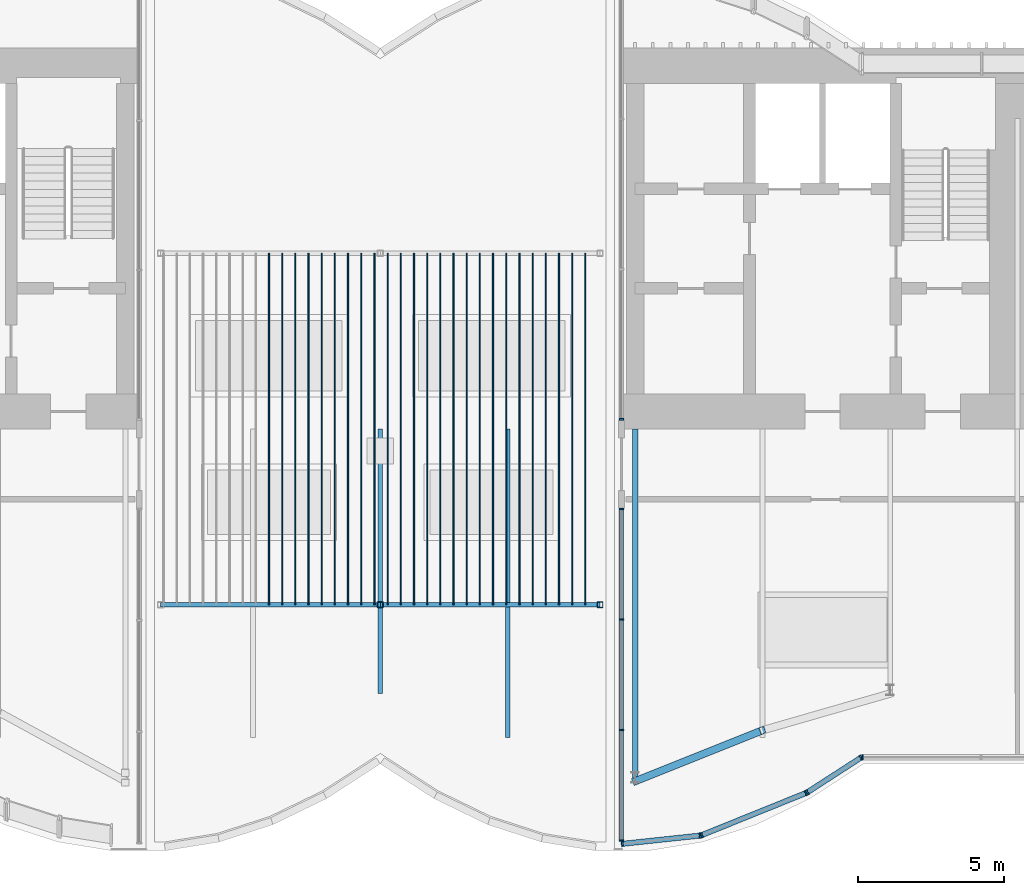
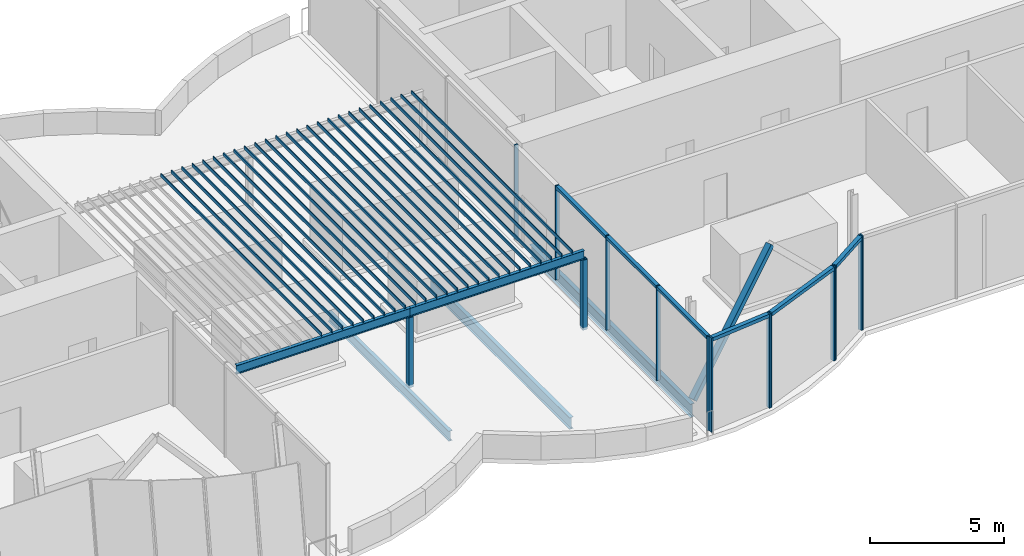
# One storey, part 6 of 18: 48 members, 3 beams, 5 elements without a shape of their own.
"""IFC4 building model written with IfcOpenShell, lengths in metres."""

from ifc_helpers import new_model, si_unit, direction, frame, origin, origin_2d, place, context, subcontext, project, spatial, rectangle, hollow_rectangle, i_section, extrude, material, material_profile, profile_set, type_object, element, aggregate, save


model = new_model("IFC4")

# Units and contexts
model_context = context("Model", 3, precision=1e-05, world=origin(), true_north=direction((0.0, 1.0)))
body_context = subcontext(model_context, "Body", "Model", "MODEL_VIEW")
ifc_project = project(units=[si_unit("LENGTHUNIT", "METRE"), si_unit("AREAUNIT", "SQUARE_METRE"), si_unit("VOLUMEUNIT", "CUBIC_METRE"), si_unit("PLANEANGLEUNIT", "RADIAN"), si_unit("MASSUNIT", "GRAM", prefix="KILO")], contexts=[model_context])

# Site, building, storey
site_placement = place(None, origin())
site = spatial("IfcSite", under=ifc_project, at=site_placement, CompositionType="ELEMENT")
building_placement = place(site_placement, origin())
building = spatial("IfcBuilding", under=site, at=building_placement, Name="Bicima Exchange Tower", CompositionType="ELEMENT")
storey_placement = place(building_placement, frame((0.0, 0.0, 347.89990234375)))
storey = spatial("IfcBuildingStorey", under=building, at=storey_placement, Name="L78", CompositionType="ELEMENT", Elevation=347.89990234375)

# Curtain wall, members
ifc_material_1 = material(Name="Anodised bronze aluminium", Category="aluminium")
curtain_wall_type_1 = type_object("IfcCurtainWallType", Name="Crown glass wall", PredefinedType="NOTDEFINED", material=ifc_material_1)
curtain_wall_1_placement = place(storey_placement, origin())
curtain_wall_1 = element("IfcCurtainWall", 1, at=curtain_wall_1_placement, inside=storey, type_object=curtain_wall_type_1, Name="Crown glass wall L78 run 9", PredefinedType="NOTDEFINED")
ifc_material_profile_1 = material_profile(ifc_material_1, rectangle(XDim=0.179931640625, YDim=0.06005859375, at=origin_2d()))
ifc_profile_set_1 = profile_set([ifc_material_profile_1], Name="Anodised bronze aluminium")
member_type_1 = type_object("IfcMemberType", Name="Crown glass wall mullion 60 x 180", PredefinedType="MULLION", material=ifc_profile_set_1)
member_1_placement = place(storey_placement, frame((8.259765625, -27.161865234375, 0.0), z_axis=(0.0, 0.0, 1.0), x_axis=(-0.106371668434, 0.994326439433, 0.0)))
member_1 = element("IfcMember", 2, at=member_1_placement, type_object=member_type_1, Name="Crown glass wall mullion 1", PredefinedType="MULLION", context=body_context, shape_type="SweptSolid", body=[
    extrude(rectangle(XDim=0.179931640625, YDim=0.06005859375, at=origin_2d()), origin(), (0.0, 0.0, 1.0), 4.300048828125),
])
member_2_placement = place(storey_placement, frame((10.916015625, -26.877685546875, 0.0), z_axis=(0.0, 0.0, 1.0), x_axis=(-0.106371668434, 0.994326439433, 0.0)))
member_2 = element("IfcMember", 3, at=member_2_placement, type_object=member_type_1, Name="Crown glass wall mullion 2", PredefinedType="MULLION", context=body_context, shape_type="SweptSolid", body=[
    extrude(rectangle(XDim=0.179931640625, YDim=0.06005859375, at=origin_2d()), origin(), (0.0, 0.0, 1.0), 4.300048828125),
])
member_3_placement = place(storey_placement, frame((10.973876953125, -26.86328125, 0.0), z_axis=(0.0, 0.0, 1.0), x_axis=(-0.374705304, 0.92714396679, 0.0)))
member_3 = element("IfcMember", 4, at=member_3_placement, type_object=member_type_1, Name="Crown glass wall mullion 1", PredefinedType="MULLION", context=body_context, shape_type="SweptSolid", body=[
    extrude(rectangle(XDim=0.179931640625, YDim=0.06005859375, at=origin_2d()), origin(), (0.0, 0.0, 1.0), 4.300048828125),
])
member_4_placement = place(storey_placement, frame((14.52587890625, -25.427490234375, 0.0), z_axis=(0.0, 0.0, 1.0), x_axis=(-0.374705304, 0.92714396679, 0.0)))
member_4 = element("IfcMember", 5, at=member_4_placement, type_object=member_type_1, Name="Crown glass wall mullion 2", PredefinedType="MULLION", context=body_context, shape_type="SweptSolid", body=[
    extrude(rectangle(XDim=0.179931640625, YDim=0.06005859375, at=origin_2d()), origin(), (0.0, 0.0, 1.0), 4.300048828125),
])
member_5_placement = place(storey_placement, frame((14.578857421875, -25.400146484375, 0.0), z_axis=(0.0, 0.0, 1.0), x_axis=(-0.542910648791, 0.839790466384, 0.0)))
member_5 = element("IfcMember", 6, at=member_5_placement, type_object=member_type_1, Name="Crown glass wall mullion 1", PredefinedType="MULLION", context=body_context, shape_type="SweptSolid", body=[
    extrude(rectangle(XDim=0.179931640625, YDim=0.06005859375, at=origin_2d()), origin(), (0.0, 0.0, 1.0), 4.300048828125),
])
member_6_placement = place(storey_placement, frame((16.406982421875, -24.21826171875, 0.0), z_axis=(0.0, 0.0, 1.0), x_axis=(-0.542910648791, 0.839790466384, 0.0)))
member_6 = element("IfcMember", 7, at=member_6_placement, type_object=member_type_1, Name="Crown glass wall mullion 2", PredefinedType="MULLION", context=body_context, shape_type="SweptSolid", body=[
    extrude(rectangle(XDim=0.179931640625, YDim=0.06005859375, at=origin_2d()), origin(), (0.0, 0.0, 1.0), 4.300048828125),
])

# Curtain wall, member
curtain_wall_2_placement = place(storey_placement, origin())
curtain_wall_2 = element("IfcCurtainWall", 8, at=curtain_wall_2_placement, inside=storey, type_object=curtain_wall_type_1, Name="Crown glass wall L78 run 12", PredefinedType="NOTDEFINED")
member_7_placement = place(storey_placement, frame((16.462158203125, -24.201904296875, 0.0), z_axis=(0.0, 0.0, 1.0), x_axis=(0.0, 1.0, 0.0)))
member_7 = element("IfcMember", 9, at=member_7_placement, type_object=member_type_1, Name="Crown glass wall mullion 1", PredefinedType="MULLION", context=body_context, shape_type="SweptSolid", body=[
    extrude(rectangle(XDim=0.179931640625, YDim=0.06005859375, at=origin_2d()), origin(), (0.0, 0.0, 1.0), 4.300048828125),
])
aggregate(curtain_wall_2, [member_7])

# Member
ifc_material_profile_2 = material_profile(ifc_material_1, rectangle(XDim=0.179931640625, YDim=0.159912109375, at=origin_2d()))
ifc_profile_set_2 = profile_set([ifc_material_profile_2], Name="Anodised bronze aluminium")
member_type_2 = type_object("IfcMemberType", Name="Crown glass wall transom 160 x 180", PredefinedType="USERDEFINED", material=ifc_profile_set_2)
member_8_placement = place(storey_placement, frame((8.289794921875, -27.15869140625, 4.22021484375), z_axis=(0.994323646517, 0.106397772425, 0.0), x_axis=(-0.106397772425, 0.994323646517, 0.0)))
member_8 = element("IfcMember", 10, at=member_8_placement, type_object=member_type_2, Name="Crown glass wall transom 1.1", ObjectType="TRANSOM", PredefinedType="USERDEFINED", context=body_context, shape_type="SweptSolid", body=[
    extrude(rectangle(XDim=0.179931640625, YDim=0.159912109375, at=origin_2d()), origin(), (0.0, 0.0, 1.0), 2.611328125),
])

member_9_placement = place(storey_placement, frame((11.001708984375, -26.85205078125, 4.22021484375), z_axis=(0.927140215882, 0.374714584842, 0.0), x_axis=(-0.374714584842, 0.927140215882, 0.0)))
member_9 = element("IfcMember", 11, at=member_9_placement, type_object=member_type_2, Name="Crown glass wall transom 1.1", ObjectType="TRANSOM", PredefinedType="USERDEFINED", context=body_context, shape_type="SweptSolid", body=[
    extrude(rectangle(XDim=0.179931640625, YDim=0.159912109375, at=origin_2d()), origin(), (0.0, 0.0, 1.0), 3.77099609375),
])

member_10_placement = place(storey_placement, frame((14.60400390625, -25.3837890625, 4.22021484375), z_axis=(0.839792890287, 0.542906899407, 0.0), x_axis=(-0.542906899407, 0.839792890287, 0.0)))
member_10 = element("IfcMember", 12, at=member_10_placement, type_object=member_type_2, Name="Crown glass wall transom 1.1", ObjectType="TRANSOM", PredefinedType="USERDEFINED", context=body_context, shape_type="SweptSolid", body=[
    extrude(rectangle(XDim=0.179931640625, YDim=0.159912109375, at=origin_2d()), origin(), (0.0, 0.0, 1.0), 2.11669921875),
])

aggregate(curtain_wall_1, [member_1, member_2, member_8, member_3, member_4, member_9, member_5, member_6, member_10])

# Curtain wall, member
curtain_wall_type_2 = type_object("IfcCurtainWallType", Name="End face glass wall", PredefinedType="NOTDEFINED", material=ifc_material_1)
curtain_wall_3_placement = place(storey_placement, origin())
curtain_wall_3 = element("IfcCurtainWall", 13, at=curtain_wall_3_placement, inside=storey, type_object=curtain_wall_type_2, Name="End face glass wall L78 run 2.1", PredefinedType="NOTDEFINED")
ifc_material_profile_3 = material_profile(ifc_material_1, rectangle(XDim=0.159912109375, YDim=0.06005859375, at=origin_2d()))
ifc_profile_set_3 = profile_set([ifc_material_profile_3], Name="Anodised bronze aluminium")
member_type_3 = type_object("IfcMemberType", Name="End face glass wall mullion 60 x 160", PredefinedType="MULLION", material=ifc_profile_set_3)
member_11_placement = place(storey_placement, frame((8.22998046875, -12.669921875, 0.0), z_axis=(0.0, 0.0, 1.0), x_axis=(1.0, 0.0, 0.0)))
member_11 = element("IfcMember", 14, at=member_11_placement, type_object=member_type_3, Name="End face glass wall mullion 4", PredefinedType="MULLION", context=body_context, shape_type="SweptSolid", body=[
    extrude(rectangle(XDim=0.159912109375, YDim=0.06005859375, at=origin_2d()), origin(), (0.0, 0.0, 1.0), 4.300048828125),
])
aggregate(curtain_wall_3, [member_11])

# Curtain wall, members
curtain_wall_4_placement = place(storey_placement, origin())
curtain_wall_4 = element("IfcCurtainWall", 15, at=curtain_wall_4_placement, inside=storey, type_object=curtain_wall_type_2, Name="End face glass wall L78 run 2.2", PredefinedType="NOTDEFINED")
member_12_placement = place(storey_placement, frame((8.22998046875, -15.72998046875, 0.0), z_axis=(0.0, 0.0, 1.0), x_axis=(1.0, 0.0, 0.0)))
member_12 = element("IfcMember", 16, at=member_12_placement, type_object=member_type_3, Name="End face glass wall mullion 1", PredefinedType="MULLION", context=body_context, shape_type="SweptSolid", body=[
    extrude(rectangle(XDim=0.159912109375, YDim=0.06005859375, at=origin_2d()), origin(), (0.0, 0.0, 1.0), 4.300048828125),
])
member_13_placement = place(storey_placement, frame((8.22998046875, -19.501708984375, 0.0), z_axis=(0.0, 0.0, 1.0), x_axis=(1.0, 0.0, 0.0)))
member_13 = element("IfcMember", 17, at=member_13_placement, type_object=member_type_3, Name="End face glass wall mullion 2", PredefinedType="MULLION", context=body_context, shape_type="SweptSolid", body=[
    extrude(rectangle(XDim=0.159912109375, YDim=0.06005859375, at=origin_2d()), origin(), (0.0, 0.0, 1.0), 4.300048828125),
])
member_14_placement = place(storey_placement, frame((8.22998046875, -23.273193359375, 0.0), z_axis=(0.0, 0.0, 1.0), x_axis=(1.0, 0.0, 0.0)))
member_14 = element("IfcMember", 18, at=member_14_placement, type_object=member_type_3, Name="End face glass wall mullion 3", PredefinedType="MULLION", context=body_context, shape_type="SweptSolid", body=[
    extrude(rectangle(XDim=0.159912109375, YDim=0.06005859375, at=origin_2d()), origin(), (0.0, 0.0, 1.0), 4.300048828125),
])
member_15_placement = place(storey_placement, frame((8.22998046875, -27.044921875, 0.0), z_axis=(0.0, 0.0, 1.0), x_axis=(1.0, 0.0, 0.0)))
member_15 = element("IfcMember", 19, at=member_15_placement, type_object=member_type_3, Name="End face glass wall mullion 4", PredefinedType="MULLION", context=body_context, shape_type="SweptSolid", body=[
    extrude(rectangle(XDim=0.159912109375, YDim=0.06005859375, at=origin_2d()), origin(), (0.0, 0.0, 1.0), 4.300048828125),
])
ifc_material_profile_4 = material_profile(ifc_material_1, rectangle(XDim=0.159912109375, YDim=0.139892578125, at=origin_2d()))
ifc_profile_set_4 = profile_set([ifc_material_profile_4], Name="Anodised bronze aluminium")
member_type_4 = type_object("IfcMemberType", Name="End face glass wall transom 140 x 160", PredefinedType="USERDEFINED", material=ifc_profile_set_4)
member_16_placement = place(storey_placement, frame((8.22998046875, -15.760009765625, 4.22998046875), z_axis=(0.0, -1.0, 0.0), x_axis=(1.0, 0.0, 0.0)))
member_16 = element("IfcMember", 20, at=member_16_placement, type_object=member_type_4, Name="End face glass wall transom 1.1", ObjectType="TRANSOM", PredefinedType="USERDEFINED", context=body_context, shape_type="SweptSolid", body=[
    extrude(rectangle(XDim=0.159912109375, YDim=0.139892578125, at=origin_2d()), origin(), (0.0, 0.0, 1.0), 3.711669921875),
])
member_17_placement = place(storey_placement, frame((8.22998046875, -19.53173828125, 4.22998046875), z_axis=(0.0, -1.0, 0.0), x_axis=(1.0, 0.0, 0.0)))
member_17 = element("IfcMember", 21, at=member_17_placement, type_object=member_type_4, Name="End face glass wall transom 2.1", ObjectType="TRANSOM", PredefinedType="USERDEFINED", context=body_context, shape_type="SweptSolid", body=[
    extrude(rectangle(XDim=0.159912109375, YDim=0.139892578125, at=origin_2d()), origin(), (0.0, 0.0, 1.0), 3.711669921875),
])
member_18_placement = place(storey_placement, frame((8.22998046875, -23.30322265625, 4.22998046875), z_axis=(0.0, -1.0, 0.0), x_axis=(1.0, 0.0, 0.0)))
member_18 = element("IfcMember", 22, at=member_18_placement, type_object=member_type_4, Name="End face glass wall transom 3.1", ObjectType="TRANSOM", PredefinedType="USERDEFINED", context=body_context, shape_type="SweptSolid", body=[
    extrude(rectangle(XDim=0.159912109375, YDim=0.139892578125, at=origin_2d()), origin(), (0.0, 0.0, 1.0), 3.711669921875),
])
aggregate(curtain_wall_4, [member_12, member_13, member_14, member_15, member_16, member_17, member_18])

# Beam
ifc_material_2 = material(Name="Steel ASTM A992 Gr 50", Category="steel")
ifc_material_profile_5 = material_profile(ifc_material_2, i_section(OverallWidth=0.177978515625, OverallDepth=0.599365234375, WebThickness=0.010009765625, FlangeThickness=0.012939453125, at=origin_2d()))
ifc_profile_set_5 = profile_set([ifc_material_profile_5], Name="Steel ASTM A992 Gr 50")
beam_type_1 = type_object("IfcBeamType", Name="Floor beam W24x55", PredefinedType="JOIST", material=ifc_profile_set_5)
beam_1_placement = place(storey_placement, frame((8.699951171875, -13.0, -0.49951171875), z_axis=(0.0, -1.0, 0.0), x_axis=(1.0, 0.0, 0.0)))
element("IfcBeam", 23, at=beam_1_placement, inside=storey, type_object=beam_type_1, Name="Floor beam", PredefinedType="JOIST", context=body_context, shape_type="SweptSolid", body=[
    extrude(i_section(OverallWidth=0.177978515625, OverallDepth=0.599365234375, WebThickness=0.010009765625, FlangeThickness=0.012939453125, at=origin_2d()), origin(), (0.0, 0.0, 1.0), 12.023193359375),
])

# Curtain wall, members
curtain_wall_type_3 = type_object("IfcCurtainWallType", Name="Louvre screen", PredefinedType="NOTDEFINED", material=ifc_material_1)
curtain_wall_5_placement = place(storey_placement, origin())
curtain_wall_5 = element("IfcCurtainWall", 24, at=curtain_wall_5_placement, inside=storey, type_object=curtain_wall_type_3, Name="Slot roof louvre SCREEN", PredefinedType="NOTDEFINED")
ifc_material_profile_6 = material_profile(ifc_material_1, rectangle(XDim=0.0400390625, YDim=0.14990234375, at=origin_2d()))
ifc_profile_set_6 = profile_set([ifc_material_profile_6], Name="Anodised bronze aluminium")
member_type_5 = type_object("IfcMemberType", Name="Louvre blade 150 x 40", PredefinedType="USERDEFINED", material=ifc_profile_set_6)
member_19_placement = place(storey_placement, frame((-3.800048828125, -7.0, 3.675048828125), z_axis=(0.0, -1.0, 0.0), x_axis=(1.0, 0.0, 0.0)))
member_19 = element("IfcMember", 25, at=member_19_placement, type_object=member_type_5, Name="Slot roof louvre blade", ObjectType="SCREEN", PredefinedType="USERDEFINED", context=body_context, shape_type="SweptSolid", body=[
    extrude(rectangle(XDim=0.0400390625, YDim=0.14990234375, at=origin_2d()), origin(), (0.0, 0.0, 1.0), 12.0),
])
member_20_placement = place(storey_placement, frame((-3.35009765625, -7.0, 3.675048828125), z_axis=(0.0, -1.0, 0.0), x_axis=(1.0, 0.0, 0.0)))
member_20 = element("IfcMember", 26, at=member_20_placement, type_object=member_type_5, Name="Slot roof louvre blade", ObjectType="SCREEN", PredefinedType="USERDEFINED", context=body_context, shape_type="SweptSolid", body=[
    extrude(rectangle(XDim=0.0400390625, YDim=0.14990234375, at=origin_2d()), origin(), (0.0, 0.0, 1.0), 12.0),
])
member_21_placement = place(storey_placement, frame((-2.89990234375, -7.0, 3.675048828125), z_axis=(0.0, -1.0, 0.0), x_axis=(1.0, 0.0, 0.0)))
member_21 = element("IfcMember", 27, at=member_21_placement, type_object=member_type_5, Name="Slot roof louvre blade", ObjectType="SCREEN", PredefinedType="USERDEFINED", context=body_context, shape_type="SweptSolid", body=[
    extrude(rectangle(XDim=0.0400390625, YDim=0.14990234375, at=origin_2d()), origin(), (0.0, 0.0, 1.0), 12.0),
])
member_22_placement = place(storey_placement, frame((-2.449951171875, -7.0, 3.675048828125), z_axis=(0.0, -1.0, 0.0), x_axis=(1.0, 0.0, 0.0)))
member_22 = element("IfcMember", 28, at=member_22_placement, type_object=member_type_5, Name="Slot roof louvre blade", ObjectType="SCREEN", PredefinedType="USERDEFINED", context=body_context, shape_type="SweptSolid", body=[
    extrude(rectangle(XDim=0.0400390625, YDim=0.14990234375, at=origin_2d()), origin(), (0.0, 0.0, 1.0), 12.0),
])
member_23_placement = place(storey_placement, frame((-2.0, -7.0, 3.675048828125), z_axis=(0.0, -1.0, 0.0), x_axis=(1.0, 0.0, 0.0)))
member_23 = element("IfcMember", 29, at=member_23_placement, type_object=member_type_5, Name="Slot roof louvre blade", ObjectType="SCREEN", PredefinedType="USERDEFINED", context=body_context, shape_type="SweptSolid", body=[
    extrude(rectangle(XDim=0.0400390625, YDim=0.14990234375, at=origin_2d()), origin(), (0.0, 0.0, 1.0), 12.0),
])
member_24_placement = place(storey_placement, frame((-1.550048828125, -7.0, 3.675048828125), z_axis=(0.0, -1.0, 0.0), x_axis=(1.0, 0.0, 0.0)))
member_24 = element("IfcMember", 30, at=member_24_placement, type_object=member_type_5, Name="Slot roof louvre blade", ObjectType="SCREEN", PredefinedType="USERDEFINED", context=body_context, shape_type="SweptSolid", body=[
    extrude(rectangle(XDim=0.0400390625, YDim=0.14990234375, at=origin_2d()), origin(), (0.0, 0.0, 1.0), 12.0),
])
member_25_placement = place(storey_placement, frame((-1.10009765625, -7.0, 3.675048828125), z_axis=(0.0, -1.0, 0.0), x_axis=(1.0, 0.0, 0.0)))
member_25 = element("IfcMember", 31, at=member_25_placement, type_object=member_type_5, Name="Slot roof louvre blade", ObjectType="SCREEN", PredefinedType="USERDEFINED", context=body_context, shape_type="SweptSolid", body=[
    extrude(rectangle(XDim=0.0400390625, YDim=0.14990234375, at=origin_2d()), origin(), (0.0, 0.0, 1.0), 12.0),
])
member_26_placement = place(storey_placement, frame((-0.64990234375, -7.0, 3.675048828125), z_axis=(0.0, -1.0, 0.0), x_axis=(1.0, 0.0, 0.0)))
member_26 = element("IfcMember", 32, at=member_26_placement, type_object=member_type_5, Name="Slot roof louvre blade", ObjectType="SCREEN", PredefinedType="USERDEFINED", context=body_context, shape_type="SweptSolid", body=[
    extrude(rectangle(XDim=0.0400390625, YDim=0.14990234375, at=origin_2d()), origin(), (0.0, 0.0, 1.0), 12.0),
])
member_27_placement = place(storey_placement, frame((-0.199951171875, -7.0, 3.675048828125), z_axis=(0.0, -1.0, 0.0), x_axis=(1.0, 0.0, 0.0)))
member_27 = element("IfcMember", 33, at=member_27_placement, type_object=member_type_5, Name="Slot roof louvre blade", ObjectType="SCREEN", PredefinedType="USERDEFINED", context=body_context, shape_type="SweptSolid", body=[
    extrude(rectangle(XDim=0.0400390625, YDim=0.14990234375, at=origin_2d()), origin(), (0.0, 0.0, 1.0), 12.0),
])
member_28_placement = place(storey_placement, frame((0.25, -7.0, 3.675048828125), z_axis=(0.0, -1.0, 0.0), x_axis=(1.0, 0.0, 0.0)))
member_28 = element("IfcMember", 34, at=member_28_placement, type_object=member_type_5, Name="Slot roof louvre blade", ObjectType="SCREEN", PredefinedType="USERDEFINED", context=body_context, shape_type="SweptSolid", body=[
    extrude(rectangle(XDim=0.0400390625, YDim=0.14990234375, at=origin_2d()), origin(), (0.0, 0.0, 1.0), 12.0),
])
member_29_placement = place(storey_placement, frame((0.699951171875, -7.0, 3.675048828125), z_axis=(0.0, -1.0, 0.0), x_axis=(1.0, 0.0, 0.0)))
member_29 = element("IfcMember", 35, at=member_29_placement, type_object=member_type_5, Name="Slot roof louvre blade", ObjectType="SCREEN", PredefinedType="USERDEFINED", context=body_context, shape_type="SweptSolid", body=[
    extrude(rectangle(XDim=0.0400390625, YDim=0.14990234375, at=origin_2d()), origin(), (0.0, 0.0, 1.0), 12.0),
])
member_30_placement = place(storey_placement, frame((1.14990234375, -7.0, 3.675048828125), z_axis=(0.0, -1.0, 0.0), x_axis=(1.0, 0.0, 0.0)))
member_30 = element("IfcMember", 36, at=member_30_placement, type_object=member_type_5, Name="Slot roof louvre blade", ObjectType="SCREEN", PredefinedType="USERDEFINED", context=body_context, shape_type="SweptSolid", body=[
    extrude(rectangle(XDim=0.0400390625, YDim=0.14990234375, at=origin_2d()), origin(), (0.0, 0.0, 1.0), 12.0),
])
member_31_placement = place(storey_placement, frame((1.60009765625, -7.0, 3.675048828125), z_axis=(0.0, -1.0, 0.0), x_axis=(1.0, 0.0, 0.0)))
member_31 = element("IfcMember", 37, at=member_31_placement, type_object=member_type_5, Name="Slot roof louvre blade", ObjectType="SCREEN", PredefinedType="USERDEFINED", context=body_context, shape_type="SweptSolid", body=[
    extrude(rectangle(XDim=0.0400390625, YDim=0.14990234375, at=origin_2d()), origin(), (0.0, 0.0, 1.0), 12.0),
])
member_32_placement = place(storey_placement, frame((2.050048828125, -7.0, 3.675048828125), z_axis=(0.0, -1.0, 0.0), x_axis=(1.0, 0.0, 0.0)))
member_32 = element("IfcMember", 38, at=member_32_placement, type_object=member_type_5, Name="Slot roof louvre blade", ObjectType="SCREEN", PredefinedType="USERDEFINED", context=body_context, shape_type="SweptSolid", body=[
    extrude(rectangle(XDim=0.0400390625, YDim=0.14990234375, at=origin_2d()), origin(), (0.0, 0.0, 1.0), 12.0),
])
member_33_placement = place(storey_placement, frame((2.5, -7.0, 3.675048828125), z_axis=(0.0, -1.0, 0.0), x_axis=(1.0, 0.0, 0.0)))
member_33 = element("IfcMember", 39, at=member_33_placement, type_object=member_type_5, Name="Slot roof louvre blade", ObjectType="SCREEN", PredefinedType="USERDEFINED", context=body_context, shape_type="SweptSolid", body=[
    extrude(rectangle(XDim=0.0400390625, YDim=0.14990234375, at=origin_2d()), origin(), (0.0, 0.0, 1.0), 12.0),
])
member_34_placement = place(storey_placement, frame((2.949951171875, -7.0, 3.675048828125), z_axis=(0.0, -1.0, 0.0), x_axis=(1.0, 0.0, 0.0)))
member_34 = element("IfcMember", 40, at=member_34_placement, type_object=member_type_5, Name="Slot roof louvre blade", ObjectType="SCREEN", PredefinedType="USERDEFINED", context=body_context, shape_type="SweptSolid", body=[
    extrude(rectangle(XDim=0.0400390625, YDim=0.14990234375, at=origin_2d()), origin(), (0.0, 0.0, 1.0), 12.0),
])
member_35_placement = place(storey_placement, frame((3.39990234375, -7.0, 3.675048828125), z_axis=(0.0, -1.0, 0.0), x_axis=(1.0, 0.0, 0.0)))
member_35 = element("IfcMember", 41, at=member_35_placement, type_object=member_type_5, Name="Slot roof louvre blade", ObjectType="SCREEN", PredefinedType="USERDEFINED", context=body_context, shape_type="SweptSolid", body=[
    extrude(rectangle(XDim=0.0400390625, YDim=0.14990234375, at=origin_2d()), origin(), (0.0, 0.0, 1.0), 12.0),
])
member_36_placement = place(storey_placement, frame((3.85009765625, -7.0, 3.675048828125), z_axis=(0.0, -1.0, 0.0), x_axis=(1.0, 0.0, 0.0)))
member_36 = element("IfcMember", 42, at=member_36_placement, type_object=member_type_5, Name="Slot roof louvre blade", ObjectType="SCREEN", PredefinedType="USERDEFINED", context=body_context, shape_type="SweptSolid", body=[
    extrude(rectangle(XDim=0.0400390625, YDim=0.14990234375, at=origin_2d()), origin(), (0.0, 0.0, 1.0), 12.0),
])
member_37_placement = place(storey_placement, frame((4.300048828125, -7.0, 3.675048828125), z_axis=(0.0, -1.0, 0.0), x_axis=(1.0, 0.0, 0.0)))
member_37 = element("IfcMember", 43, at=member_37_placement, type_object=member_type_5, Name="Slot roof louvre blade", ObjectType="SCREEN", PredefinedType="USERDEFINED", context=body_context, shape_type="SweptSolid", body=[
    extrude(rectangle(XDim=0.0400390625, YDim=0.14990234375, at=origin_2d()), origin(), (0.0, 0.0, 1.0), 12.0),
])
member_38_placement = place(storey_placement, frame((4.75, -7.0, 3.675048828125), z_axis=(0.0, -1.0, 0.0), x_axis=(1.0, 0.0, 0.0)))
member_38 = element("IfcMember", 44, at=member_38_placement, type_object=member_type_5, Name="Slot roof louvre blade", ObjectType="SCREEN", PredefinedType="USERDEFINED", context=body_context, shape_type="SweptSolid", body=[
    extrude(rectangle(XDim=0.0400390625, YDim=0.14990234375, at=origin_2d()), origin(), (0.0, 0.0, 1.0), 12.0),
])
member_39_placement = place(storey_placement, frame((5.199951171875, -7.0, 3.675048828125), z_axis=(0.0, -1.0, 0.0), x_axis=(1.0, 0.0, 0.0)))
member_39 = element("IfcMember", 45, at=member_39_placement, type_object=member_type_5, Name="Slot roof louvre blade", ObjectType="SCREEN", PredefinedType="USERDEFINED", context=body_context, shape_type="SweptSolid", body=[
    extrude(rectangle(XDim=0.0400390625, YDim=0.14990234375, at=origin_2d()), origin(), (0.0, 0.0, 1.0), 12.0),
])
member_40_placement = place(storey_placement, frame((5.64990234375, -7.0, 3.675048828125), z_axis=(0.0, -1.0, 0.0), x_axis=(1.0, 0.0, 0.0)))
member_40 = element("IfcMember", 46, at=member_40_placement, type_object=member_type_5, Name="Slot roof louvre blade", ObjectType="SCREEN", PredefinedType="USERDEFINED", context=body_context, shape_type="SweptSolid", body=[
    extrude(rectangle(XDim=0.0400390625, YDim=0.14990234375, at=origin_2d()), origin(), (0.0, 0.0, 1.0), 12.0),
])
member_41_placement = place(storey_placement, frame((6.10009765625, -7.0, 3.675048828125), z_axis=(0.0, -1.0, 0.0), x_axis=(1.0, 0.0, 0.0)))
member_41 = element("IfcMember", 47, at=member_41_placement, type_object=member_type_5, Name="Slot roof louvre blade", ObjectType="SCREEN", PredefinedType="USERDEFINED", context=body_context, shape_type="SweptSolid", body=[
    extrude(rectangle(XDim=0.0400390625, YDim=0.14990234375, at=origin_2d()), origin(), (0.0, 0.0, 1.0), 12.0),
])
member_42_placement = place(storey_placement, frame((6.550048828125, -7.0, 3.675048828125), z_axis=(0.0, -1.0, 0.0), x_axis=(1.0, 0.0, 0.0)))
member_42 = element("IfcMember", 48, at=member_42_placement, type_object=member_type_5, Name="Slot roof louvre blade", ObjectType="SCREEN", PredefinedType="USERDEFINED", context=body_context, shape_type="SweptSolid", body=[
    extrude(rectangle(XDim=0.0400390625, YDim=0.14990234375, at=origin_2d()), origin(), (0.0, 0.0, 1.0), 12.0),
])
member_43_placement = place(storey_placement, frame((7.0, -7.0, 3.675048828125), z_axis=(0.0, -1.0, 0.0), x_axis=(1.0, 0.0, 0.0)))
member_43 = element("IfcMember", 49, at=member_43_placement, type_object=member_type_5, Name="Slot roof louvre blade", ObjectType="SCREEN", PredefinedType="USERDEFINED", context=body_context, shape_type="SweptSolid", body=[
    extrude(rectangle(XDim=0.0400390625, YDim=0.14990234375, at=origin_2d()), origin(), (0.0, 0.0, 1.0), 12.0),
])
ifc_material_profile_7 = material_profile(ifc_material_2, i_section(OverallWidth=0.140380859375, OverallDepth=0.40380859375, WebThickness=0.007080078125, FlangeThickness=0.01123046875, at=origin_2d()))
ifc_profile_set_7 = profile_set([ifc_material_profile_7], Name="Steel ASTM A992 Gr 50")
member_type_6 = type_object("IfcMemberType", Name="Louvre screen beam W16x31", PredefinedType="USERDEFINED", material=ifc_profile_set_7)
member_44_placement = place(storey_placement, frame((-7.5, -19.0, 3.398193359375), z_axis=(1.0, 0.0, 0.0), x_axis=(0.0, 1.0, 0.0)))
member_44 = element("IfcMember", 50, at=member_44_placement, type_object=member_type_6, Name="Louvre screen beam", ObjectType="Louvre screen beam", PredefinedType="USERDEFINED", context=body_context, shape_type="SweptSolid", body=[
    extrude(i_section(OverallWidth=0.140380859375, OverallDepth=0.40380859375, WebThickness=0.007080078125, FlangeThickness=0.01123046875, at=origin_2d()), origin(), (0.0, 0.0, 1.0), 7.5),
])
member_45_placement = place(storey_placement, frame((0.0, -19.0, 3.398193359375), z_axis=(1.0, 0.0, 0.0), x_axis=(0.0, 1.0, 0.0)))
member_45 = element("IfcMember", 51, at=member_45_placement, type_object=member_type_6, Name="Louvre screen beam", ObjectType="Louvre screen beam", PredefinedType="USERDEFINED", context=body_context, shape_type="SweptSolid", body=[
    extrude(i_section(OverallWidth=0.140380859375, OverallDepth=0.40380859375, WebThickness=0.007080078125, FlangeThickness=0.01123046875, at=origin_2d()), origin(), (0.0, 0.0, 1.0), 7.5),
])
ifc_material_3 = material(Name="Steel ASTM A572 Gr 50", Category="steel")
ifc_material_profile_8 = material_profile(ifc_material_3, hollow_rectangle(XDim=0.203125, YDim=0.203125, WallThickness=0.01171875, at=origin_2d()))
ifc_profile_set_8 = profile_set([ifc_material_profile_8], Name="Steel ASTM A572 Gr 50")
member_type_7 = type_object("IfcMemberType", Name="Louvre screen post HSS8x8x1/2", PredefinedType="USERDEFINED", material=ifc_profile_set_8)
member_46_placement = place(storey_placement, frame((0.0, -19.0, 0.0), z_axis=(0.0, 0.0, 1.0), x_axis=(1.0, 0.0, 0.0)))
member_46 = element("IfcMember", 52, at=member_46_placement, type_object=member_type_7, Name="Louvre screen post", ObjectType="Louvre screen post", PredefinedType="USERDEFINED", context=body_context, shape_type="SweptSolid", body=[
    extrude(hollow_rectangle(XDim=0.203125, YDim=0.203125, WallThickness=0.01171875, at=origin_2d()), origin(), (0.0, 0.0, 1.0), 3.1962890625),
])
member_47_placement = place(storey_placement, frame((7.5, -19.0, 0.0), z_axis=(0.0, 0.0, 1.0), x_axis=(1.0, 0.0, 0.0)))
member_47 = element("IfcMember", 53, at=member_47_placement, type_object=member_type_7, Name="Louvre screen post", ObjectType="Louvre screen post", PredefinedType="USERDEFINED", context=body_context, shape_type="SweptSolid", body=[
    extrude(hollow_rectangle(XDim=0.203125, YDim=0.203125, WallThickness=0.01171875, at=origin_2d()), origin(), (0.0, 0.0, 1.0), 3.1962890625),
])
aggregate(curtain_wall_5, [member_46, member_47, member_44, member_45, member_19, member_20, member_21, member_22, member_23, member_24, member_25, member_26, member_27, member_28, member_29, member_30, member_31, member_32, member_33, member_34, member_35, member_36, member_37, member_38, member_39, member_40, member_41, member_42, member_43])

# Member
ifc_material_profile_9 = material_profile(ifc_material_3, hollow_rectangle(XDim=0.25390625, YDim=0.25390625, WallThickness=0.01171875, at=origin_2d()))
ifc_profile_set_9 = profile_set([ifc_material_profile_9], Name="Steel ASTM A572 Gr 50")
member_type_8 = type_object("IfcMemberType", Name="Mega brace HSS10x10x1/2", PredefinedType="BRACE", material=ifc_profile_set_9)
member_48_placement = place(storey_placement, frame((8.699951171875, -25.023193359375, 0.0), z_axis=(0.669641624162, 0.267811550891, 0.692717163349), x_axis=(-0.3713367687, 0.928498252132, 0.0)))
element("IfcMember", 54, at=member_48_placement, inside=storey, type_object=member_type_8, Name="Mega brace front", PredefinedType="BRACE", context=body_context, shape_type="SweptSolid", body=[
    extrude(hollow_rectangle(XDim=0.25390625, YDim=0.25390625, WallThickness=0.01171875, at=origin_2d()), origin(), (0.0, 0.0, 1.0), 6.49609375),
])

# Beams
ifc_material_profile_10 = material_profile(ifc_material_2, i_section(OverallWidth=0.15283203125, OverallDepth=0.45458984375, WebThickness=0.008056640625, FlangeThickness=0.013427734375, at=origin_2d()))
ifc_profile_set_10 = profile_set([ifc_material_profile_10], Name="Steel ASTM A992 Gr 50")
beam_type_2 = type_object("IfcBeamType", Name="Slot deck beam W18x40", PredefinedType="JOIST", material=ifc_profile_set_10)
beam_2_placement = place(storey_placement, frame((0.0, -13.0, -0.42724609375), z_axis=(0.0, -1.0, 0.0), x_axis=(1.0, 0.0, 0.0)))
element("IfcBeam", 55, at=beam_2_placement, inside=storey, type_object=beam_type_2, Name="Slot deck beam", PredefinedType="JOIST", context=body_context, shape_type="SweptSolid", body=[
    extrude(i_section(OverallWidth=0.15283203125, OverallDepth=0.45458984375, WebThickness=0.008056640625, FlangeThickness=0.013427734375, at=origin_2d()), origin(), (0.0, 0.0, 1.0), 9.031982421875),
])
ifc_material_profile_11 = material_profile(ifc_material_2, i_section(OverallWidth=0.165771484375, OverallDepth=0.5283203125, WebThickness=0.009765625, FlangeThickness=0.013671875, at=origin_2d()))
ifc_profile_set_11 = profile_set([ifc_material_profile_11], Name="Steel ASTM A992 Gr 50")
beam_type_3 = type_object("IfcBeamType", Name="Slot deck beam W21x50", PredefinedType="JOIST", material=ifc_profile_set_11)
beam_3_placement = place(storey_placement, frame((4.35009765625, -13.0, -0.464111328125), z_axis=(0.0, -1.0, 0.0), x_axis=(1.0, 0.0, 0.0)))
element("IfcBeam", 56, at=beam_3_placement, inside=storey, type_object=beam_type_3, Name="Slot deck beam", PredefinedType="JOIST", context=body_context, shape_type="SweptSolid", body=[
    extrude(i_section(OverallWidth=0.165771484375, OverallDepth=0.5283203125, WebThickness=0.009765625, FlangeThickness=0.013671875, at=origin_2d()), origin(), (0.0, 0.0, 1.0), 10.527587890625),
])

save(model, "model.ifc")
